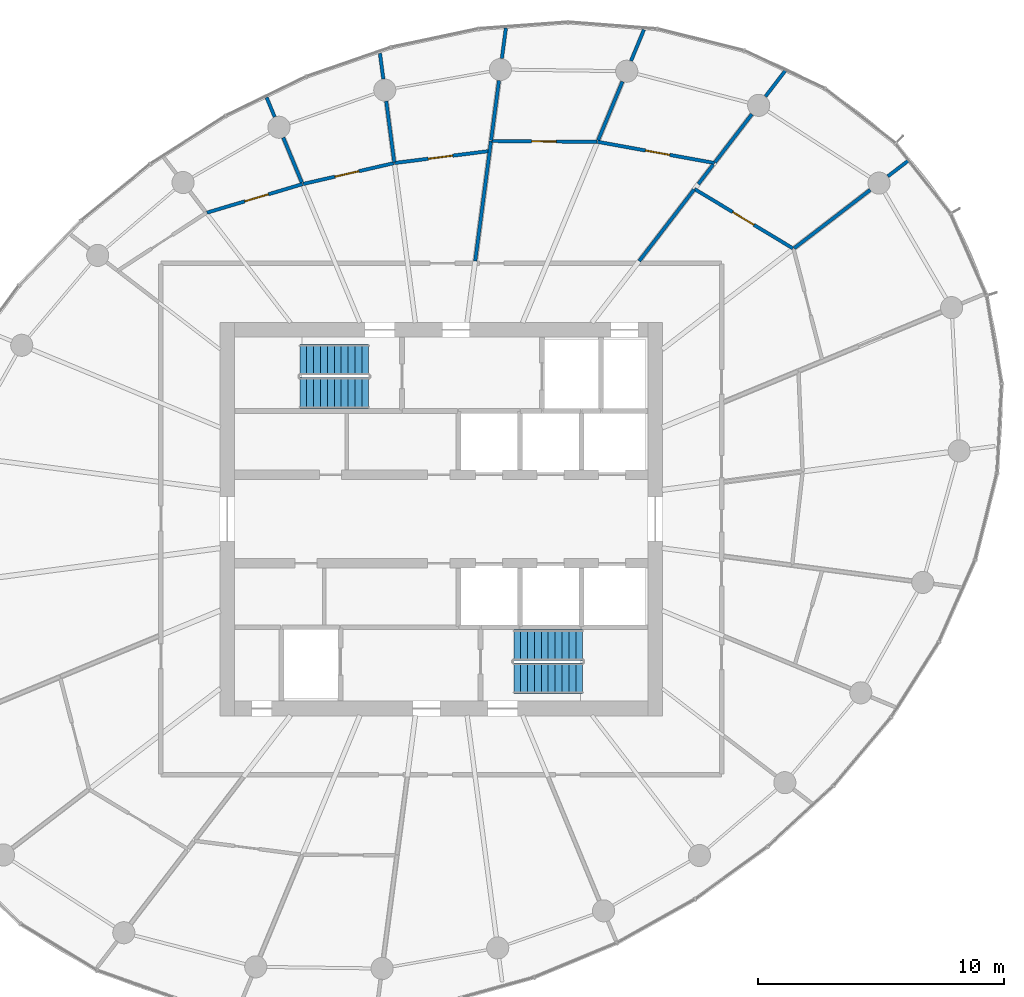
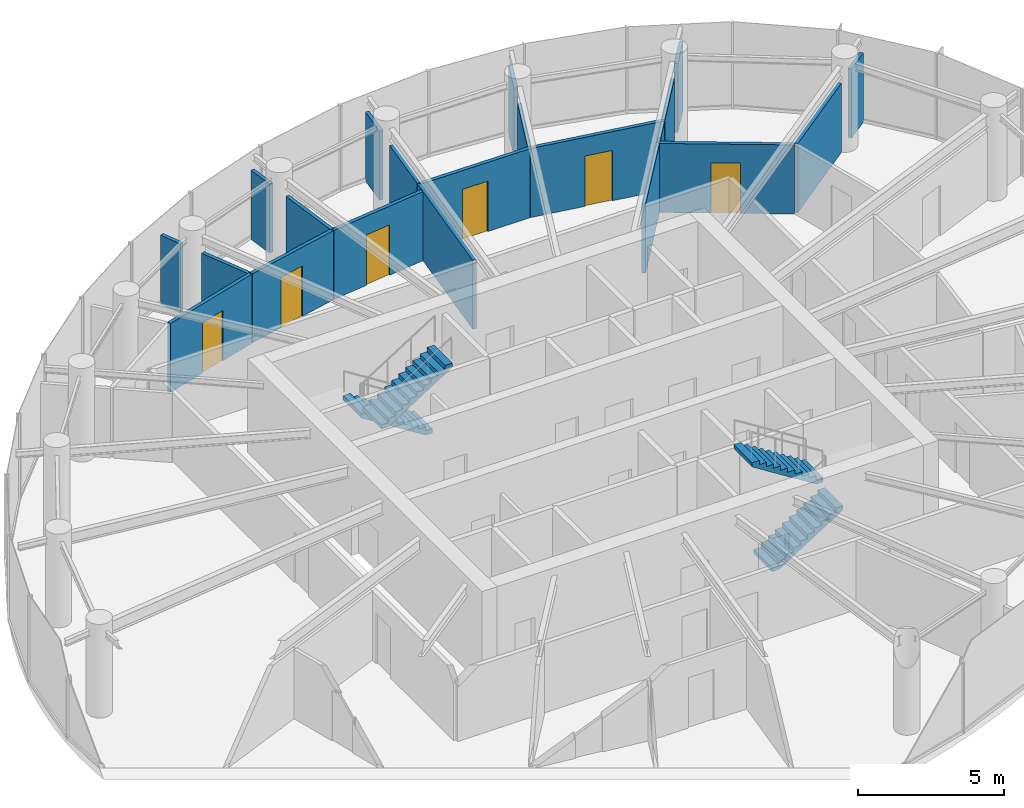
# One storey, part 12 of 14: 21 walls, 6 doors, 4 stair flights, 6 openings, 2 elements without a shape of their own.
"""IFC4 building model written with IfcOpenShell, lengths in metres."""

from ifc_helpers import new_model, si_unit, direction, frame, frame_2d, origin, place, context, subcontext, project, spatial, line, indexed_curve, rectangle, outline, extrude, source, transform, mapped, material, layer, layer_set, type_object, element, fill, aggregate, save


model = new_model("IFC4")

# Units and contexts
model_context = context("Model", 3, precision=1e-05, world=origin(), true_north=direction((0.0, 1.0)))
body_context = subcontext(model_context, "Body", "Model", "MODEL_VIEW")
ifc_project = project(units=[si_unit("LENGTHUNIT", "METRE"), si_unit("AREAUNIT", "SQUARE_METRE"), si_unit("VOLUMEUNIT", "CUBIC_METRE"), si_unit("PLANEANGLEUNIT", "RADIAN"), si_unit("MASSUNIT", "GRAM", prefix="KILO")], contexts=[model_context])

# Site, building, storey
site_placement = place(None, origin())
site = spatial("IfcSite", under=ifc_project, at=site_placement, CompositionType="ELEMENT")
building_placement = place(site_placement, origin())
building = spatial("IfcBuilding", under=site, at=building_placement, Name="Spindrift Exchange Tower", CompositionType="ELEMENT")
storey_placement = place(building_placement, frame((0.0, 0.0, 207.199951171875)))
storey = spatial("IfcBuildingStorey", under=building, at=storey_placement, Name="L50", CompositionType="ELEMENT", Elevation=207.199951171875)

# Wall
ifc_material_1 = material(Name="Fire-rated plasterboard partition", Category="gypsum")
ifc_layer = layer(ifc_material_1, 0.139892578125)
ifc_layer_set = layer_set([ifc_layer], Name="W-PART-140")
wall_type = type_object("IfcWallType", Name="W-PART-140", PredefinedType="PARTITIONING", material=ifc_layer_set)
wall_1_placement = place(storey_placement, frame((53.381103515625, 58.489990234375, 0.0), z_axis=(0.0, 0.0, 1.0), x_axis=(0.130510929427, 0.991446870639, 0.0)))
element("IfcWall", 1, at=wall_1_placement, inside=storey, type_object=wall_type, Name="L50 Partition wall 35", PredefinedType="PARTITIONING", context=body_context, shape_type="SweptSolid", body=[
    extrude(rectangle(XDim=4.925537109375, YDim=0.139892578125, at=frame_2d((2.462890625, 0.0))), origin(), (0.0, 0.0, 1.0), 2.880126953125),
])

# Wall, opening, door
wall_2_placement = place(storey_placement, frame((58.353759765625, 63.33935546875, 0.0), z_axis=(0.0, 0.0, 1.0), x_axis=(0.983980456021, -0.178276364581, 0.0)))
wall_2 = element("IfcWall", 2, at=wall_2_placement, inside=storey, type_object=wall_type, Name="L50 Partition wall 37", PredefinedType="PARTITIONING", context=body_context, shape_type="SweptSolid", body=[
    extrude(rectangle(XDim=4.832763671875, YDim=0.139892578125, at=frame_2d((2.41650390625, 0.0))), origin(), (0.0, 0.0, 1.0), 2.880126953125),
])
opening_1_placement = place(wall_2_placement, frame((1.98291015625, 0.0, 0.0)))
opening_1 = element("IfcOpeningElement", 3, at=opening_1_placement, cuts=wall_2, Name="Opening L50-D26", PredefinedType="OPENING", context=body_context, shape_type="SweptSolid", body=[
    extrude(rectangle(XDim=1.0, YDim=2.10009765625, at=frame_2d((0.5, 1.050048828125))), frame((0.0, 0.079833984375, 0.0), z_axis=(0.0, -1.0, 0.0), x_axis=(1.0, 0.0, 0.0)), (0.0, 0.0, 1.0), 0.159912109375),
])
ifc_material_2 = material(Name="Timber-core fire door", Category="wood")
door_type = type_object("IfcDoorType", Name="DR-ROOM-1000", OperationType="NOTDEFINED", PredefinedType="DOOR", material=ifc_material_2)
shared_shape = source(origin(), body_context, "Body", "SweptSolid", [
    extrude(rectangle(XDim=1.0, YDim=2.10009765625, at=frame_2d((0.5, 1.050048828125))), frame((0.0, 0.02490234375, 0.0), z_axis=(0.0, -1.0, 0.0), x_axis=(1.0, 0.0, 0.0)), (0.0, 0.0, 1.0), 0.050048828125),
])
door_1_placement = place(opening_1_placement, origin())
door_1 = element("IfcDoor", 4, at=door_1_placement, inside=storey, type_object=door_type, Name="L50 Door 26", OperationType="SINGLE_SWING_LEFT", OverallHeight=2.10009765625, OverallWidth=1.0, PredefinedType="DOOR", context=body_context, shape_type="MappedRepresentation", body=[
    mapped(shared_shape, transform((0.0, 0.0, 0.0), scale=1.0)),
])
fill(opening_1, door_1)

wall_3_placement = place(storey_placement, frame((62.297607421875, 61.419921875, 0.0), z_axis=(0.0, 0.0, 1.0), x_axis=(0.856310382511, -0.516461546298, 0.0)))
wall_3 = element("IfcWall", 5, at=wall_3_placement, inside=storey, type_object=wall_type, Name="L50 Partition wall 40", PredefinedType="PARTITIONING", context=body_context, shape_type="SweptSolid", body=[
    extrude(rectangle(XDim=4.67236328125, YDim=0.139892578125, at=frame_2d((2.336181640625, 0.0))), origin(), (0.0, 0.0, 1.0), 2.880126953125),
])
opening_2_placement = place(wall_3_placement, frame((1.822509765625, 0.0, 0.0)))
opening_2 = element("IfcOpeningElement", 6, at=opening_2_placement, cuts=wall_3, Name="Opening L50-D23", PredefinedType="OPENING", context=body_context, shape_type="SweptSolid", body=[
    extrude(rectangle(XDim=1.0, YDim=2.10009765625, at=frame_2d((0.5, 1.050048828125))), frame((0.0, 0.079833984375, 0.0), z_axis=(0.0, -1.0, 0.0), x_axis=(1.0, 0.0, 0.0)), (0.0, 0.0, 1.0), 0.159912109375),
])
door_2_placement = place(opening_2_placement, origin())
door_2 = element("IfcDoor", 7, at=door_2_placement, inside=storey, type_object=door_type, Name="L50 Door 23", OperationType="SINGLE_SWING_RIGHT", OverallHeight=2.10009765625, OverallWidth=1.0, PredefinedType="DOOR", context=body_context, shape_type="MappedRepresentation", body=[
    mapped(shared_shape, transform((0.0, 0.0, 0.0), scale=1.0)),
])
fill(opening_2, door_2)

wall_4_placement = place(storey_placement, frame((54.053955078125, 63.373046875, 0.0), z_axis=(0.0, 0.0, 1.0), x_axis=(0.999969319587, -0.007833255005, 0.0)))
wall_4 = element("IfcWall", 8, at=wall_4_placement, inside=storey, type_object=wall_type, Name="L50 Partition wall 45", PredefinedType="PARTITIONING", context=body_context, shape_type="SweptSolid", body=[
    extrude(rectangle(XDim=4.27001953125, YDim=0.139892578125, at=frame_2d((2.135009765625, 0.0))), origin(), (0.0, 0.0, 1.0), 2.880126953125),
])
opening_3_placement = place(wall_4_placement, frame((1.6201171875, 0.0, 0.0)))
opening_3 = element("IfcOpeningElement", 9, at=opening_3_placement, cuts=wall_4, Name="Opening L50-D27", PredefinedType="OPENING", context=body_context, shape_type="SweptSolid", body=[
    extrude(rectangle(XDim=1.0, YDim=2.10009765625, at=frame_2d((0.5, 1.050048828125))), frame((0.0, 0.079833984375, 0.0), z_axis=(0.0, -1.0, 0.0), x_axis=(1.0, 0.0, 0.0)), (0.0, 0.0, 1.0), 0.159912109375),
])
door_3_placement = place(opening_3_placement, origin())
door_3 = element("IfcDoor", 10, at=door_3_placement, inside=storey, type_object=door_type, Name="L50 Door 27", OperationType="SINGLE_SWING_RIGHT", OverallHeight=2.10009765625, OverallWidth=1.0, PredefinedType="DOOR", context=body_context, shape_type="MappedRepresentation", body=[
    mapped(shared_shape, transform((0.0, 0.0, 0.0), scale=1.0)),
])
fill(opening_3, door_3)

wall_5_placement = place(storey_placement, frame((42.474853515625, 60.45947265625, 0.0), z_axis=(0.0, 0.0, 1.0), x_axis=(0.958218274214, 0.286038002655, 0.0)))
wall_5 = element("IfcWall", 11, at=wall_5_placement, inside=storey, type_object=wall_type, Name="L50 Partition wall 49", PredefinedType="PARTITIONING", context=body_context, shape_type="SweptSolid", body=[
    extrude(rectangle(XDim=4.053466796875, YDim=0.139892578125, at=frame_2d((2.02685546875, 0.0))), origin(), (0.0, 0.0, 1.0), 2.880126953125),
])
opening_4_placement = place(wall_5_placement, frame((1.603271484375, 0.0, 0.0)))
opening_4 = element("IfcOpeningElement", 12, at=opening_4_placement, cuts=wall_5, Name="Opening L50-D31", PredefinedType="OPENING", context=body_context, shape_type="SweptSolid", body=[
    extrude(rectangle(XDim=1.0, YDim=2.10009765625, at=frame_2d((0.5, 1.050048828125))), frame((0.0, 0.079833984375, 0.0), z_axis=(0.0, -1.0, 0.0), x_axis=(1.0, 0.0, 0.0)), (0.0, 0.0, 1.0), 0.159912109375),
])
door_4_placement = place(opening_4_placement, origin())
door_4 = element("IfcDoor", 13, at=door_4_placement, inside=storey, type_object=door_type, Name="L50 Door 31", OperationType="SINGLE_SWING_RIGHT", OverallHeight=2.10009765625, OverallWidth=1.0, PredefinedType="DOOR", context=body_context, shape_type="MappedRepresentation", body=[
    mapped(shared_shape, transform((0.0, 0.0, 0.0), scale=1.0)),
])
fill(opening_4, door_4)

# Wall
wall_6_placement = place(storey_placement, frame((66.347900390625, 59.009521484375, 0.0), z_axis=(0.0, 0.0, 1.0), x_axis=(0.793347300472, 0.608769300173, 0.0)))
element("IfcWall", 14, at=wall_6_placement, inside=storey, type_object=wall_type, Name="L50 Partition wall 52", PredefinedType="PARTITIONING", context=body_context, shape_type="SweptSolid", body=[
    extrude(rectangle(XDim=3.8994140625, YDim=0.139892578125, at=frame_2d((1.94970703125, 0.0))), origin(), (0.0, 0.0, 1.0), 2.880126953125),
])

# Wall, opening, door
wall_7_placement = place(storey_placement, frame((50.09423828125, 62.476318359375, 0.0), z_axis=(0.0, 0.0, 1.0), x_axis=(0.99213420041, 0.12517878565, 0.0)))
wall_7 = element("IfcWall", 15, at=wall_7_placement, inside=storey, type_object=wall_type, Name="L50 Partition wall 53", PredefinedType="PARTITIONING", context=body_context, shape_type="SweptSolid", body=[
    extrude(rectangle(XDim=3.83447265625, YDim=0.139892578125, at=frame_2d((1.917236328125, 0.0))), origin(), (0.0, 0.0, 1.0), 2.880126953125),
])
opening_5_placement = place(wall_7_placement, frame((1.384521484375, 0.0, 0.0)))
opening_5 = element("IfcOpeningElement", 16, at=opening_5_placement, cuts=wall_7, Name="Opening L50-D29", PredefinedType="OPENING", context=body_context, shape_type="SweptSolid", body=[
    extrude(rectangle(XDim=1.0, YDim=2.10009765625, at=frame_2d((0.5, 1.050048828125))), frame((0.0, 0.079833984375, 0.0), z_axis=(0.0, -1.0, 0.0), x_axis=(1.0, 0.0, 0.0)), (0.0, 0.0, 1.0), 0.159912109375),
])
door_5_placement = place(opening_5_placement, origin())
door_5 = element("IfcDoor", 17, at=door_5_placement, inside=storey, type_object=door_type, Name="L50 Door 29", OperationType="SINGLE_SWING_RIGHT", OverallHeight=2.10009765625, OverallWidth=1.0, PredefinedType="DOOR", context=body_context, shape_type="MappedRepresentation", body=[
    mapped(shared_shape, transform((0.0, 0.0, 0.0), scale=1.0)),
])
fill(opening_5, door_5)

wall_8_placement = place(storey_placement, frame((46.387939453125, 61.625732421875, 0.0), z_axis=(0.0, 0.0, 1.0), x_axis=(0.974668578249, 0.223654113699, 0.0)))
wall_8 = element("IfcWall", 18, at=wall_8_placement, inside=storey, type_object=wall_type, Name="L50 Partition wall 57", PredefinedType="PARTITIONING", context=body_context, shape_type="SweptSolid", body=[
    extrude(rectangle(XDim=3.7724609375, YDim=0.139892578125, at=frame_2d((1.88623046875, 0.0))), origin(), (0.0, 0.0, 1.0), 2.880126953125),
])
opening_6_placement = place(wall_8_placement, frame((1.322509765625, 0.0, 0.0)))
opening_6 = element("IfcOpeningElement", 19, at=opening_6_placement, cuts=wall_8, Name="Opening L50-D30", PredefinedType="OPENING", context=body_context, shape_type="SweptSolid", body=[
    extrude(rectangle(XDim=1.0, YDim=2.10009765625, at=frame_2d((0.5, 1.050048828125))), frame((0.0, 0.079833984375, 0.0), z_axis=(0.0, -1.0, 0.0), x_axis=(1.0, 0.0, 0.0)), (0.0, 0.0, 1.0), 0.159912109375),
])
door_6_placement = place(opening_6_placement, origin())
door_6 = element("IfcDoor", 20, at=door_6_placement, inside=storey, type_object=door_type, Name="L50 Door 30", OperationType="SINGLE_SWING_LEFT", OverallHeight=2.10009765625, OverallWidth=1.0, PredefinedType="DOOR", context=body_context, shape_type="MappedRepresentation", body=[
    mapped(shared_shape, transform((0.0, 0.0, 0.0), scale=1.0)),
])
fill(opening_6, door_6)

# Walls
wall_9_placement = place(storey_placement, frame((60.04931640625, 58.489990234375, 0.0), z_axis=(0.0, 0.0, 1.0), x_axis=(0.60875050296, 0.793361724024, 0.0)))
element("IfcWall", 21, at=wall_9_placement, inside=storey, type_object=wall_type, Name="L50 Partition wall 60", PredefinedType="PARTITIONING", context=body_context, shape_type="SweptSolid", body=[
    extrude(rectangle(XDim=3.663330078125, YDim=0.139892578125, at=frame_2d((1.83154296875, 0.0))), origin(), (0.0, 0.0, 1.0), 2.880126953125),
])
wall_10_placement = place(storey_placement, frame((62.45263671875, 61.622314453125, 0.0), z_axis=(0.0, 0.0, 1.0), x_axis=(0.608872401912, 0.793268175455, 0.0)))
element("IfcWall", 22, at=wall_10_placement, inside=storey, type_object=wall_type, Name="L50 Partition wall 61", PredefinedType="PARTITIONING", context=body_context, shape_type="SweptSolid", body=[
    extrude(rectangle(XDim=0.99951171875, YDim=0.139892578125, at=frame_2d((0.499755859375, 0.0))), origin(), (0.0, 0.0, 1.0), 2.880126953125),
])
wall_11_placement = place(storey_placement, frame((63.12744140625, 62.50146484375, 0.0), z_axis=(0.0, 0.0, 1.0), x_axis=(0.608750837214, 0.793361467549, 0.0)))
element("IfcWall", 23, at=wall_11_placement, inside=storey, type_object=wall_type, Name="L50 Partition wall 62", PredefinedType="PARTITIONING", context=body_context, shape_type="SweptSolid", body=[
    extrude(rectangle(XDim=2.4716796875, YDim=0.139892578125, at=frame_2d((1.23583984375, 0.0))), origin(), (0.0, 0.0, 1.0), 2.880126953125),
])
wall_12_placement = place(storey_placement, frame((54.02783203125, 63.403076171875, 0.0), z_axis=(0.0, 0.0, 1.0), x_axis=(0.130581052229, 0.991437637373, 0.0)))
element("IfcWall", 24, at=wall_12_placement, inside=storey, type_object=wall_type, Name="L50 Partition wall 66", PredefinedType="PARTITIONING", context=body_context, shape_type="SweptSolid", body=[
    extrude(rectangle(XDim=2.445556640625, YDim=0.139892578125, at=frame_2d((1.22265625, 0.0))), origin(), (0.0, 0.0, 1.0), 2.880126953125),
])
wall_13_placement = place(storey_placement, frame((58.381103515625, 63.405517578125, 0.0), z_axis=(0.0, 0.0, 1.0), x_axis=(0.382733405642, 0.923858831319, 0.0)))
element("IfcWall", 25, at=wall_13_placement, inside=storey, type_object=wall_type, Name="L50 Partition wall 70", PredefinedType="PARTITIONING", context=body_context, shape_type="SweptSolid", body=[
    extrude(rectangle(XDim=2.580322265625, YDim=0.139892578125, at=frame_2d((1.2900390625, 0.0))), origin(), (0.0, 0.0, 1.0), 2.880126953125),
])
wall_14_placement = place(storey_placement, frame((50.090087890625, 62.506103515625, 0.0), z_axis=(0.0, 0.0, 1.0), x_axis=(-0.130479700893, 0.991450980964, 0.0)))
element("IfcWall", 26, at=wall_14_placement, inside=storey, type_object=wall_type, Name="L50 Partition wall 71", PredefinedType="PARTITIONING", context=body_context, shape_type="SweptSolid", body=[
    extrude(rectangle(XDim=2.50732421875, YDim=0.139892578125, at=frame_2d((1.253662109375, 0.0))), origin(), (0.0, 0.0, 1.0), 2.880126953125),
])
wall_15_placement = place(storey_placement, frame((46.331787109375, 61.68408203125, 0.0), z_axis=(0.0, 0.0, 1.0), x_axis=(-0.382624406385, 0.923903979664, 0.0)))
element("IfcWall", 27, at=wall_15_placement, inside=storey, type_object=wall_type, Name="L50 Partition wall 74", PredefinedType="PARTITIONING", context=body_context, shape_type="SweptSolid", body=[
    extrude(rectangle(XDim=1.977294921875, YDim=0.139892578125, at=frame_2d((0.98876953125, 0.0))), origin(), (0.0, 0.0, 1.0), 2.880126953125),
])
wall_16_placement = place(storey_placement, frame((59.716796875, 66.630126953125, 0.0), z_axis=(0.0, 0.0, 1.0), x_axis=(0.382733825207, 0.923858657502, 0.0)))
element("IfcWall", 28, at=wall_16_placement, inside=storey, type_object=wall_type, Name="L50 Partition wall 75", PredefinedType="PARTITIONING", context=body_context, shape_type="SweptSolid", body=[
    extrude(rectangle(XDim=1.373291015625, YDim=0.139892578125, at=frame_2d((0.6865234375, 0.0))), origin(), (0.0, 0.0, 1.0), 2.880126953125),
])
wall_17_placement = place(storey_placement, frame((65.185546875, 65.18359375, 0.0), z_axis=(0.0, 0.0, 1.0), x_axis=(0.608692849826, 0.79340595824, 0.0)))
element("IfcWall", 29, at=wall_17_placement, inside=storey, type_object=wall_type, Name="L50 Partition wall 78", PredefinedType="PARTITIONING", context=body_context, shape_type="SweptSolid", body=[
    extrude(rectangle(XDim=1.333740234375, YDim=0.139892578125, at=frame_2d((0.6669921875, 0.0))), origin(), (0.0, 0.0, 1.0), 2.880126953125),
])
wall_18_placement = place(storey_placement, frame((54.4658203125, 66.72900390625, 0.0), z_axis=(0.0, 0.0, 1.0), x_axis=(0.130520415919, 0.991445621821, 0.0)))
element("IfcWall", 30, at=wall_18_placement, inside=storey, type_object=wall_type, Name="L50 Partition wall 80", PredefinedType="PARTITIONING", context=body_context, shape_type="SweptSolid", body=[
    extrude(rectangle(XDim=1.245849609375, YDim=0.139892578125, at=frame_2d((0.623046875, 0.0))), origin(), (0.0, 0.0, 1.0), 2.880126953125),
])
wall_19_placement = place(storey_placement, frame((49.644287109375, 65.89306640625, 0.0), z_axis=(0.0, 0.0, 1.0), x_axis=(-0.130436565077, 0.99145665689, 0.0)))
element("IfcWall", 31, at=wall_19_placement, inside=storey, type_object=wall_type, Name="L50 Partition wall 84", PredefinedType="PARTITIONING", context=body_context, shape_type="SweptSolid", body=[
    extrude(rectangle(XDim=1.0556640625, YDim=0.139892578125, at=frame_2d((0.52783203125, 0.0))), origin(), (0.0, 0.0, 1.0), 2.880126953125),
])
wall_20_placement = place(storey_placement, frame((70.16259765625, 61.936767578125, 0.0), z_axis=(0.0, 0.0, 1.0), x_axis=(0.793403619358, 0.608695898449, 0.0)))
element("IfcWall", 32, at=wall_20_placement, inside=storey, type_object=wall_type, Name="L50 Partition wall 85", PredefinedType="PARTITIONING", context=body_context, shape_type="SweptSolid", body=[
    extrude(rectangle(XDim=1.046875, YDim=0.139892578125, at=frame_2d((0.5234375, 0.0))), origin(), (0.0, 0.0, 1.0), 2.880126953125),
])
wall_21_placement = place(storey_placement, frame((45.226806640625, 64.351806640625, 0.0), z_axis=(0.0, 0.0, 1.0), x_axis=(-0.382754217383, 0.92385020922, 0.0)))
element("IfcWall", 33, at=wall_21_placement, inside=storey, type_object=wall_type, Name="L50 Partition wall 91", PredefinedType="PARTITIONING", context=body_context, shape_type="SweptSolid", body=[
    extrude(rectangle(XDim=0.857177734375, YDim=0.139892578125, at=frame_2d((0.4287109375, 0.0))), origin(), (0.0, 0.0, 1.0), 2.880126953125),
])

# Stair, stair flights
ifc_material_3 = material(Name="Concrete 50 MPa", Category="concrete")
stair_type = type_object("IfcStairType", Name="ST-1250-R177", PredefinedType="HALF_TURN_STAIR", material=ifc_material_3)
stair_1_placement = place(storey_placement, origin())
stair_1 = element("IfcStair", 34, at=stair_1_placement, inside=storey, type_object=stair_type, Name="L50 Exit stair ST1", PredefinedType="HALF_TURN_STAIR")
stair_flight_type = type_object("IfcStairFlightType", Name="STF-1250-R177", PredefinedType="STRAIGHT", material=ifc_material_3)
stair_flight_1_placement = place(storey_placement, frame((49.050048828125, 54.47509765625, 0.0), z_axis=(0.0, 0.0, 1.0), x_axis=(-1.0, 0.0, 0.0)))
stair_flight_1 = element("IfcStairFlight", 35, at=stair_flight_1_placement, type_object=stair_flight_type, Name="ST1 flight 1", NumberOfRisers=11, NumberOfTreads=10, PredefinedType="STRAIGHT", RiserHeight=0.177272727, TreadLength=0.28, context=body_context, shape_type="SweptSolid", body=[
    extrude(outline(indexed_curve([(0.0, 0.0), (0.0, 0.177734375), (0.2802734375, 0.177734375), (0.2802734375, 0.3544921875), (0.5595703125, 0.3544921875), (0.5595703125, 0.5322265625), (0.83984375, 0.5322265625), (0.83984375, 0.708984375), (1.1201171875, 0.708984375), (1.1201171875, 0.88671875), (1.400390625, 0.88671875), (1.400390625, 1.0634765625), (1.6796875, 1.0634765625), (1.6796875, 1.2412109375), (1.9599609375, 1.2412109375), (1.9599609375, 1.41796875), (2.240234375, 1.41796875), (2.240234375, 1.595703125), (2.51953125, 1.595703125), (2.51953125, 1.7724609375), (2.7998046875, 1.7724609375), (2.7998046875, 1.9501953125), (2.7998046875, 1.595703125), (0.2802734375, 0.0)], segments=[line(1, 2, 3, 4, 5, 6, 7, 8, 9, 10, 11, 12, 13, 14, 15, 16, 17, 18, 19, 20, 21, 22, 23, 24, 1)], self_intersect=False)), frame((0.0, 0.625, 0.0), z_axis=(0.0, -1.0, 0.0), x_axis=(1.0, 0.0, 0.0)), (0.0, 0.0, 1.0), 1.25),
])
stair_flight_2_placement = place(storey_placement, frame((46.25, 53.125, 1.949951171875), z_axis=(0.0, 0.0, 1.0), x_axis=(1.0, 0.0, 0.0)))
stair_flight_2 = element("IfcStairFlight", 36, at=stair_flight_2_placement, type_object=stair_flight_type, Name="ST1 flight 2", NumberOfRisers=11, NumberOfTreads=10, PredefinedType="STRAIGHT", RiserHeight=0.177272727, TreadLength=0.28, context=body_context, shape_type="SweptSolid", body=[
    extrude(outline(indexed_curve([(0.0, 0.0), (0.0, 0.177734375), (0.2802734375, 0.177734375), (0.2802734375, 0.3544921875), (0.5595703125, 0.3544921875), (0.5595703125, 0.5322265625), (0.83984375, 0.5322265625), (0.83984375, 0.708984375), (1.1201171875, 0.708984375), (1.1201171875, 0.88671875), (1.400390625, 0.88671875), (1.400390625, 1.0634765625), (1.6796875, 1.0634765625), (1.6796875, 1.2412109375), (1.9599609375, 1.2412109375), (1.9599609375, 1.41796875), (2.240234375, 1.41796875), (2.240234375, 1.595703125), (2.51953125, 1.595703125), (2.51953125, 1.7724609375), (2.7998046875, 1.7724609375), (2.7998046875, 1.9501953125), (2.7998046875, 1.595703125), (0.2802734375, 0.0)], segments=[line(1, 2, 3, 4, 5, 6, 7, 8, 9, 10, 11, 12, 13, 14, 15, 16, 17, 18, 19, 20, 21, 22, 23, 24, 1)], self_intersect=False)), frame((0.0, 0.625, 0.0), z_axis=(0.0, -1.0, 0.0), x_axis=(1.0, 0.0, 0.0)), (0.0, 0.0, 1.0), 1.25),
])
aggregate(stair_1, [stair_flight_1, stair_flight_2])

stair_2_placement = place(storey_placement, origin())
stair_2 = element("IfcStair", 37, at=stair_2_placement, inside=storey, type_object=stair_type, Name="L50 Exit stair ST2", PredefinedType="HALF_TURN_STAIR")
stair_flight_3_placement = place(storey_placement, frame((54.949951171875, 41.52490234375, 0.0), z_axis=(0.0, 0.0, 1.0), x_axis=(1.0, 0.0, 0.0)))
stair_flight_3 = element("IfcStairFlight", 38, at=stair_flight_3_placement, type_object=stair_flight_type, Name="ST2 flight 1", NumberOfRisers=11, NumberOfTreads=10, PredefinedType="STRAIGHT", RiserHeight=0.177272727, TreadLength=0.28, context=body_context, shape_type="SweptSolid", body=[
    extrude(outline(indexed_curve([(0.0, 0.0), (0.0, 0.177734375), (0.2802734375, 0.177734375), (0.2802734375, 0.3544921875), (0.5595703125, 0.3544921875), (0.5595703125, 0.5322265625), (0.83984375, 0.5322265625), (0.83984375, 0.708984375), (1.1201171875, 0.708984375), (1.1201171875, 0.88671875), (1.400390625, 0.88671875), (1.400390625, 1.0634765625), (1.6796875, 1.0634765625), (1.6796875, 1.2412109375), (1.9599609375, 1.2412109375), (1.9599609375, 1.41796875), (2.240234375, 1.41796875), (2.240234375, 1.595703125), (2.51953125, 1.595703125), (2.51953125, 1.7724609375), (2.7998046875, 1.7724609375), (2.7998046875, 1.9501953125), (2.7998046875, 1.595703125), (0.2802734375, 0.0)], segments=[line(1, 2, 3, 4, 5, 6, 7, 8, 9, 10, 11, 12, 13, 14, 15, 16, 17, 18, 19, 20, 21, 22, 23, 24, 1)], self_intersect=False)), frame((0.0, 0.625, 0.0), z_axis=(0.0, -1.0, 0.0), x_axis=(1.0, 0.0, 0.0)), (0.0, 0.0, 1.0), 1.25),
])
stair_flight_4_placement = place(storey_placement, frame((57.75, 42.875, 1.949951171875), z_axis=(0.0, 0.0, 1.0), x_axis=(-1.0, 0.0, 0.0)))
stair_flight_4 = element("IfcStairFlight", 39, at=stair_flight_4_placement, type_object=stair_flight_type, Name="ST2 flight 2", NumberOfRisers=11, NumberOfTreads=10, PredefinedType="STRAIGHT", RiserHeight=0.177272727, TreadLength=0.28, context=body_context, shape_type="SweptSolid", body=[
    extrude(outline(indexed_curve([(0.0, 0.0), (0.0, 0.177734375), (0.2802734375, 0.177734375), (0.2802734375, 0.3544921875), (0.5595703125, 0.3544921875), (0.5595703125, 0.5322265625), (0.83984375, 0.5322265625), (0.83984375, 0.708984375), (1.1201171875, 0.708984375), (1.1201171875, 0.88671875), (1.400390625, 0.88671875), (1.400390625, 1.0634765625), (1.6796875, 1.0634765625), (1.6796875, 1.2412109375), (1.9599609375, 1.2412109375), (1.9599609375, 1.41796875), (2.240234375, 1.41796875), (2.240234375, 1.595703125), (2.51953125, 1.595703125), (2.51953125, 1.7724609375), (2.7998046875, 1.7724609375), (2.7998046875, 1.9501953125), (2.7998046875, 1.595703125), (0.2802734375, 0.0)], segments=[line(1, 2, 3, 4, 5, 6, 7, 8, 9, 10, 11, 12, 13, 14, 15, 16, 17, 18, 19, 20, 21, 22, 23, 24, 1)], self_intersect=False)), frame((0.0, 0.625, 0.0), z_axis=(0.0, -1.0, 0.0), x_axis=(1.0, 0.0, 0.0)), (0.0, 0.0, 1.0), 1.25),
])
aggregate(stair_2, [stair_flight_3, stair_flight_4])

save(model, "model.ifc")
